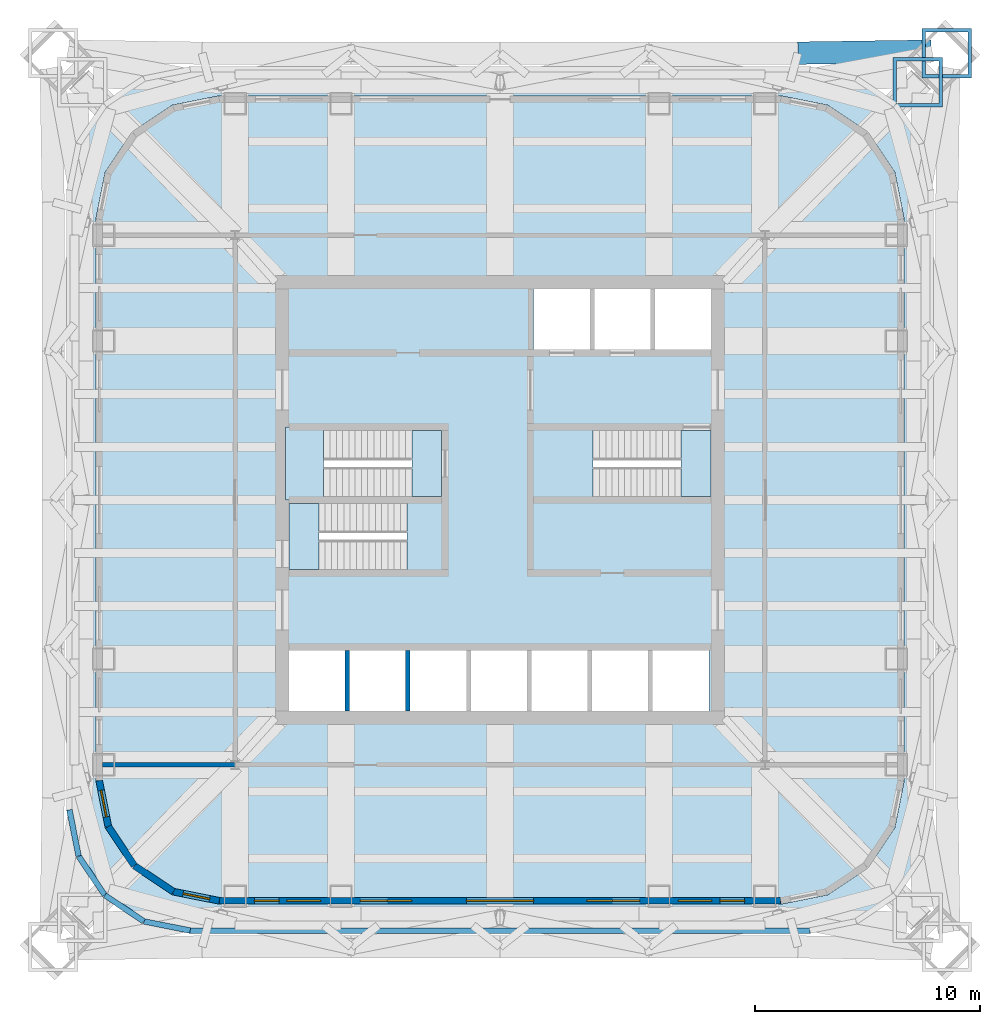
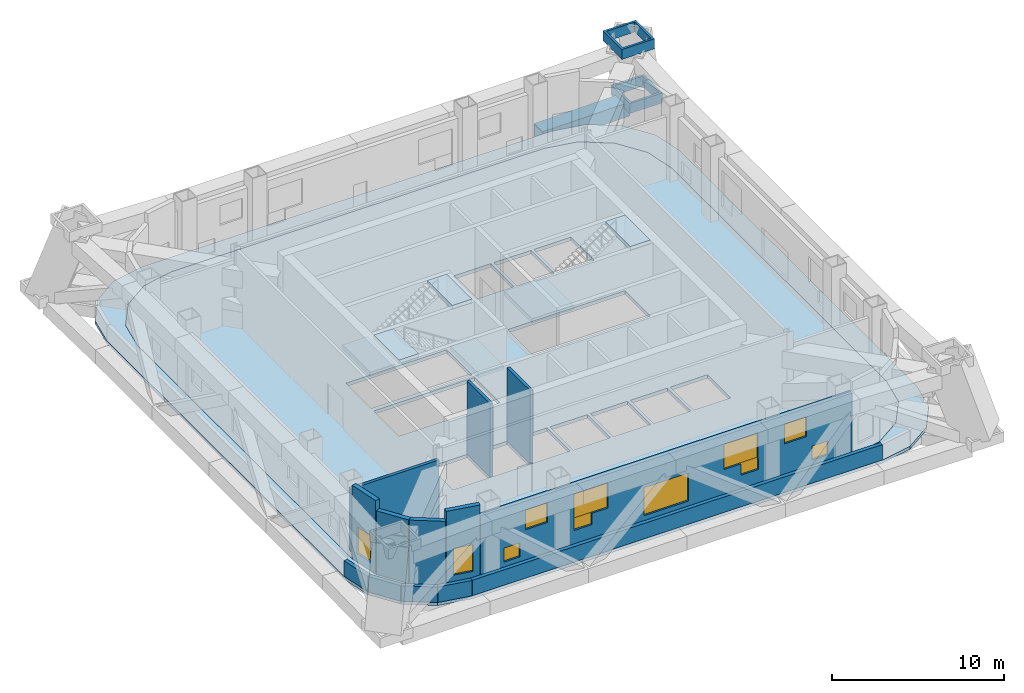
# One storey, part 4 of 9: 13 walls, 11 windows, 8 slabs, 2 members, 1 beam, 11 openings, 3 elements without a shape of their own.
"""IFC4 building model written with IfcOpenShell, lengths in metres."""

from ifc_helpers import new_model, si_unit, direction, frame, frame_2d, origin, origin_2d, place, context, subcontext, project, spatial, polyline, rectangle, hollow_rectangle, outline, extrude, material, layer, layer_set, material_profile, profile_set, type_object, element, fill, aggregate, save


model = new_model("IFC4")

# Units and contexts
model_context = context("Model", 3, precision=1e-05, world=origin(), true_north=direction((0.0, 1.0)))
body_context = subcontext(model_context, "Body", "Model", "MODEL_VIEW")
ifc_project = project(units=[si_unit("LENGTHUNIT", "METRE"), si_unit("AREAUNIT", "SQUARE_METRE"), si_unit("VOLUMEUNIT", "CUBIC_METRE"), si_unit("PLANEANGLEUNIT", "RADIAN"), si_unit("MASSUNIT", "GRAM", prefix="KILO")], contexts=[model_context])

# Site, building, storey
site_placement = place(None, origin())
site = spatial("IfcSite", under=ifc_project, at=site_placement, CompositionType="ELEMENT")
building_placement = place(site_placement, origin())
building = spatial("IfcBuilding", under=site, at=building_placement, Name="Turquesa Mirador Hotel Tower", CompositionType="ELEMENT")
storey_placement = place(building_placement, frame((0.0, 0.0, 221.300048828125)))
storey = spatial("IfcBuildingStorey", under=building, at=storey_placement, Name="L60", CompositionType="ELEMENT", Elevation=221.300048828125)

# Beam
ifc_material_1 = material(Name="Steel ASTM A572 Grade 50", Category="steel")
ifc_material_profile_1 = material_profile(ifc_material_1, hollow_rectangle(XDim=1.0, YDim=1.0, WallThickness=0.06005859375, at=origin_2d()), Name="BOX1000X1000X60")
ifc_profile_set_1 = profile_set([ifc_material_profile_1], Name="Steel ASTM A572 Grade 50")
beam_type = type_object("IfcBeamType", Name="BELT TRUSS CHORD BOX1000X1000X60", PredefinedType="BEAM", material=ifc_profile_set_1)
beam_placement = place(storey_placement, frame((68.2666015625, 64.89990234375, -0.427734375), z_axis=(0.999882659941, 0.015318823339, 0.0), x_axis=(-0.015318823339, 0.999882659941, 0.0)))
element("IfcBeam", 1, at=beam_placement, inside=storey, type_object=beam_type, Name="Belt truss bottom chord N", PredefinedType="BEAM", context=body_context, shape_type="SweptSolid", body=[
    extrude(hollow_rectangle(XDim=1.0, YDim=1.0, WallThickness=0.06005859375, at=origin_2d()), origin(), (0.0, 0.0, 1.0), 5.9287109375),
])

# Members
ifc_material_2 = material(Name="Cast steel ASTM A958 Grade SC8620 Class 80/50", Category="steel")
ifc_material_profile_2 = material_profile(ifc_material_2, hollow_rectangle(XDim=2.199951171875, YDim=2.199951171875, WallThickness=0.14990234375, at=origin_2d()), Name="NODE2200X2200X150")
ifc_profile_set_2 = profile_set([ifc_material_profile_2], Name="Cast steel ASTM A958 Grade SC8620 Class 80/50")
member_type = type_object("IfcMemberType", Name="MEGA COLUMN NODE NODE2200X2200X150", PredefinedType="USERDEFINED", material=ifc_profile_set_2)
for number, where, z_axis, x_axis, name in (
    (2, (74.89990234375, 64.89990234375, -0.201904296875), (0.0, 0.0, 1.0), (1.0, 0.0, 0.0), "Mega column node M1 base"),
    (3, (73.60009765625, 63.60009765625, 4.889892578125), (0.0, 0.0, 1.0), (1.0, 0.0, 0.0), "Mega column node M1 head"),
):
    element("IfcMember", number, at=place(storey_placement, frame(where, z_axis=z_axis, x_axis=x_axis)), inside=storey, type_object=member_type, Name=name, ObjectType="MEGA COLUMN NODE", PredefinedType="USERDEFINED", context=body_context, shape_type="SweptSolid", body=[
        extrude(hollow_rectangle(XDim=2.199951171875, YDim=2.199951171875, WallThickness=0.14990234375, at=origin_2d()), origin(), (0.0, 0.0, 1.0), 0.7119140625),
    ])

# Slabs
ifc_material_3 = material(Name="Concrete C35/45", Category="concrete")
ifc_layer_1 = layer(ifc_material_3, 0.25)
ifc_layer_set_1 = layer_set([ifc_layer_1], Name="PLANT FLOOR SLAB 250")
slab_type_1 = type_object("IfcSlabType", Name="PLANT FLOOR SLAB 250", PredefinedType="FLOOR", material=ifc_layer_set_1)
slab_1_placement = place(storey_placement, frame((0.0, 0.0, -0.25)))
element("IfcSlab", 4, at=slab_1_placement, inside=storey, type_object=slab_type_1, Name="Floor slab L60", PredefinedType="FLOOR", context=body_context, shape_type="SweptSolid", body=[
    extrude(outline(polyline([(67.5, 27.0), (69.604736328125, 27.418701171875), (71.38916015625, 28.61083984375), (72.581298828125, 30.395263671875), (73.0, 32.5), (73.0, 57.5), (72.581298828125, 59.604736328125), (71.38916015625, 61.38916015625), (69.604736328125, 62.581298828125), (67.5, 63.0), (42.5, 63.0), (40.395263671875, 62.581298828125), (38.61083984375, 61.38916015625), (37.418701171875, 59.604736328125), (37.0, 57.5), (37.0, 32.5), (37.418701171875, 30.395263671875), (38.61083984375, 28.61083984375), (40.395263671875, 27.418701171875), (42.5, 27.0), (67.5, 27.0)]), holes=[polyline([(56.5, 51.699951171875), (59.0, 51.699951171875), (59.0, 54.39990234375), (56.5, 54.39990234375), (56.5, 51.699951171875)]), polyline([(59.199951171875, 51.699951171875), (61.699951171875, 51.699951171875), (61.699951171875, 54.39990234375), (59.199951171875, 54.39990234375), (59.199951171875, 51.699951171875)]), polyline([(45.60009765625, 35.60009765625), (48.10009765625, 35.60009765625), (48.10009765625, 38.300048828125), (45.60009765625, 38.300048828125), (45.60009765625, 35.60009765625)]), polyline([(48.300048828125, 35.60009765625), (50.800048828125, 35.60009765625), (50.800048828125, 38.300048828125), (48.300048828125, 38.300048828125), (48.300048828125, 35.60009765625)]), polyline([(51.0, 35.60009765625), (53.5, 35.60009765625), (53.5, 38.300048828125), (51.0, 38.300048828125), (51.0, 35.60009765625)]), polyline([(53.699951171875, 35.60009765625), (56.199951171875, 35.60009765625), (56.199951171875, 38.300048828125), (53.699951171875, 38.300048828125), (53.699951171875, 35.60009765625)]), polyline([(56.39990234375, 35.60009765625), (58.89990234375, 35.60009765625), (58.89990234375, 38.300048828125), (56.39990234375, 38.300048828125), (56.39990234375, 35.60009765625)]), polyline([(59.10009765625, 35.60009765625), (61.60009765625, 35.60009765625), (61.60009765625, 38.300048828125), (59.10009765625, 38.300048828125), (59.10009765625, 35.60009765625)]), polyline([(61.800048828125, 35.60009765625), (64.300048828125, 35.60009765625), (64.300048828125, 38.300048828125), (61.800048828125, 38.300048828125), (61.800048828125, 35.60009765625)]), polyline([(45.60009765625, 45.14990234375), (52.39990234375, 45.14990234375), (52.39990234375, 48.10009765625), (45.60009765625, 48.10009765625), (45.60009765625, 45.14990234375)]), polyline([(45.60009765625, 41.89990234375), (52.39990234375, 41.89990234375), (52.39990234375, 44.85009765625), (45.60009765625, 44.85009765625), (45.60009765625, 41.89990234375)]), polyline([(56.5, 45.14990234375), (64.39990234375, 45.14990234375), (64.39990234375, 48.10009765625), (56.5, 48.10009765625), (56.5, 45.14990234375)]), polyline([(61.89990234375, 51.699951171875), (64.39990234375, 51.699951171875), (64.39990234375, 54.39990234375), (61.89990234375, 54.39990234375), (61.89990234375, 51.699951171875)])]), origin(), (0.0, 0.0, 1.0), 0.25),
])
ifc_material_4 = material(Name="Concrete C35/45", Category="concrete")
ifc_layer_2 = layer(ifc_material_4, 0.219970703125)
ifc_layer_set_2 = layer_set([ifc_layer_2], Name="ROOF SLAB 220")
slab_type_2 = type_object("IfcSlabType", Name="ROOF SLAB 220", PredefinedType="ROOF", material=ifc_layer_set_2)
slab_2_placement = place(storey_placement, frame((0.0, 0.0, -0.219970703125)))
element("IfcSlab", 5, at=slab_2_placement, inside=storey, type_object=slab_type_2, Name="Maintenance roof L60", PredefinedType="ROOF", context=body_context, shape_type="SweptSolid", body=[
    extrude(outline(polyline([(68.800048828125, 25.699951171875), (70.90478515625, 26.11865234375), (72.689208984375, 27.310791015625), (73.88134765625, 29.09521484375), (74.300048828125, 31.199951171875), (74.300048828125, 58.800048828125), (73.88134765625, 60.90478515625), (72.689208984375, 62.689208984375), (70.90478515625, 63.88134765625), (68.800048828125, 64.300048828125), (41.199951171875, 64.300048828125), (39.09521484375, 63.88134765625), (37.310791015625, 62.689208984375), (36.11865234375, 60.90478515625), (35.699951171875, 58.800048828125), (35.699951171875, 31.199951171875), (36.11865234375, 29.09521484375), (37.310791015625, 27.310791015625), (39.09521484375, 26.11865234375), (41.199951171875, 25.699951171875), (68.800048828125, 25.699951171875)]), holes=[polyline([(67.5, 27.0), (69.604736328125, 27.418701171875), (71.38916015625, 28.61083984375), (72.581298828125, 30.395263671875), (73.0, 32.5), (73.0, 57.5), (72.581298828125, 59.604736328125), (71.38916015625, 61.38916015625), (69.604736328125, 62.581298828125), (67.5, 63.0), (42.5, 63.0), (40.395263671875, 62.581298828125), (38.61083984375, 61.38916015625), (37.418701171875, 59.604736328125), (37.0, 57.5), (37.0, 32.5), (37.418701171875, 30.395263671875), (38.61083984375, 28.61083984375), (40.395263671875, 27.418701171875), (42.5, 27.0), (67.5, 27.0)])]), origin(), (0.0, 0.0, 1.0), 0.219970703125),
])

# Stair, slabs
ifc_material_5 = material(Name="Concrete C35/45", Category="concrete")
stair_type = type_object("IfcStairType", Name="ESCAPE STAIR CORE", PredefinedType="HALF_TURN_STAIR", material=ifc_material_5)
stair_1_placement = place(storey_placement, origin())
stair_1 = element("IfcStair", 6, at=stair_1_placement, inside=storey, type_object=stair_type, Name="Stair ST1 L60 to L61", PredefinedType="HALF_TURN_STAIR")
ifc_material_6 = material(Name="Concrete C35/45", Category="concrete")
ifc_layer_3 = layer(ifc_material_6, 0.300048828125)
ifc_layer_set_3 = layer_set([ifc_layer_3], Name="STAIR LANDING 300")
slab_type_3 = type_object("IfcSlabType", Name="STAIR LANDING 300", PredefinedType="LANDING", material=ifc_layer_set_3)
slab_3_placement = place(storey_placement, frame((0.0, 0.0, 2.39990234375)))
slab_3 = element("IfcSlab", 7, at=slab_3_placement, type_object=slab_type_3, Name="ST1 landing 1", PredefinedType="LANDING", context=body_context, shape_type="SweptSolid", body=[
    extrude(outline(polyline([(45.449951171875, 45.0), (47.14990234375, 45.0), (47.14990234375, 48.25), (45.449951171875, 48.25), (45.449951171875, 45.0)])), origin(), (0.0, 0.0, 1.0), 0.300048828125),
])
slab_4_placement = place(storey_placement, frame((0.0, 0.0, 5.099853515625)))
slab_4 = element("IfcSlab", 8, at=slab_4_placement, type_object=slab_type_3, Name="ST1 landing 2", PredefinedType="LANDING", context=body_context, shape_type="SweptSolid", body=[
    extrude(outline(polyline([(51.070068359375, 45.14990234375), (52.39990234375, 45.14990234375), (52.39990234375, 48.10009765625), (51.070068359375, 48.10009765625), (51.070068359375, 45.14990234375)])), origin(), (0.0, 0.0, 1.0), 0.300048828125),
])
aggregate(stair_1, [slab_3, slab_4])

stair_2_placement = place(storey_placement, origin())
stair_2 = element("IfcStair", 9, at=stair_2_placement, inside=storey, type_object=stair_type, Name="Stair ST2 L60 to L61", PredefinedType="HALF_TURN_STAIR")
slab_5_placement = place(storey_placement, frame((0.0, 0.0, 2.39990234375)))
slab_5 = element("IfcSlab", 10, at=slab_5_placement, type_object=slab_type_3, Name="ST2 landing 1", PredefinedType="LANDING", context=body_context, shape_type="SweptSolid", body=[
    extrude(outline(polyline([(52.550048828125, 45.0), (50.85009765625, 45.0), (50.85009765625, 41.75), (52.550048828125, 41.75), (52.550048828125, 45.0)])), origin(), (0.0, 0.0, 1.0), 0.300048828125),
])
slab_6_placement = place(storey_placement, frame((0.0, 0.0, 5.099853515625)))
slab_6 = element("IfcSlab", 11, at=slab_6_placement, type_object=slab_type_3, Name="ST2 landing 2", PredefinedType="LANDING", context=body_context, shape_type="SweptSolid", body=[
    extrude(outline(polyline([(46.929931640625, 44.85009765625), (45.60009765625, 44.85009765625), (45.60009765625, 41.89990234375), (46.929931640625, 41.89990234375), (46.929931640625, 44.85009765625)])), origin(), (0.0, 0.0, 1.0), 0.300048828125),
])
aggregate(stair_2, [slab_5, slab_6])

stair_3_placement = place(storey_placement, origin())
stair_3 = element("IfcStair", 12, at=stair_3_placement, inside=storey, type_object=stair_type, Name="Stair ST3 L60 to L61", PredefinedType="HALF_TURN_STAIR")
slab_7_placement = place(storey_placement, frame((0.0, 0.0, 2.39990234375)))
slab_7 = element("IfcSlab", 13, at=slab_7_placement, type_object=slab_type_3, Name="ST3 landing 1", PredefinedType="LANDING", context=body_context, shape_type="SweptSolid", body=[
    extrude(outline(polyline([(56.35009765625, 45.0), (59.14990234375, 45.0), (59.14990234375, 48.25), (56.35009765625, 48.25), (56.35009765625, 45.0)])), origin(), (0.0, 0.0, 1.0), 0.300048828125),
])
slab_8_placement = place(storey_placement, frame((0.0, 0.0, 5.099853515625)))
slab_8 = element("IfcSlab", 14, at=slab_8_placement, type_object=slab_type_3, Name="ST3 landing 2", PredefinedType="LANDING", context=body_context, shape_type="SweptSolid", body=[
    extrude(outline(polyline([(63.070068359375, 45.14990234375), (64.39990234375, 45.14990234375), (64.39990234375, 48.10009765625), (63.070068359375, 48.10009765625), (63.070068359375, 45.14990234375)])), origin(), (0.0, 0.0, 1.0), 0.300048828125),
])
aggregate(stair_3, [slab_7, slab_8])

# Walls
ifc_material_7 = material(Name="Fire-rated gypsum board on steel studs", Category="steel")
ifc_layer_4 = layer(ifc_material_7, 0.199951171875)
ifc_layer_set_4 = layer_set([ifc_layer_4], Name="FIRE PARTITION 200")
wall_type_1 = type_object("IfcWallType", Name="FIRE PARTITION 200", PredefinedType="PARTITIONING", material=ifc_layer_set_4)
wall_1_placement = place(storey_placement, frame((37.300048828125, 33.199951171875, 0.0), z_axis=(0.0, 0.0, 1.0), x_axis=(1.0, 0.0, 0.0)))
element("IfcWall", 15, at=wall_1_placement, inside=storey, type_object=wall_type_1, Name="Partition L60 002", PredefinedType="PARTITIONING", context=body_context, shape_type="SweptSolid", body=[
    extrude(rectangle(XDim=5.89990234375, YDim=0.199951171875, at=frame_2d((2.949951171875, 0.0))), origin(), (0.0, 0.0, 1.0), 4.47314453125),
])
ifc_material_8 = material(Name="Fire-rated gypsum shaft wall on steel studs", Category="steel")
ifc_layer_5 = layer(ifc_material_8, 0.199951171875)
ifc_layer_set_5 = layer_set([ifc_layer_5], Name="LIFT SHAFT DIVIDER 200")
wall_type_2 = type_object("IfcWallType", Name="LIFT SHAFT DIVIDER 200", PredefinedType="PARTITIONING", material=ifc_layer_set_5)
for number, where, z_axis, x_axis, name in (
    (16, (48.199951171875, 35.60009765625, 0.0), (0.0, 0.0, 1.0), (0.0, 1.0, 0.0), "Lift shaft divider"),
    (17, (50.89990234375, 35.60009765625, 0.0), (0.0, 0.0, 1.0), (0.0, 1.0, 0.0), "Lift shaft divider"),
):
    element("IfcWall", number, at=place(storey_placement, frame(where, z_axis=z_axis, x_axis=x_axis)), inside=storey, type_object=wall_type_2, Name=name, PredefinedType="PARTITIONING", context=body_context, shape_type="SweptSolid", body=[
        extrude(rectangle(XDim=2.699951171875, YDim=0.199951171875, at=frame_2d((1.35009765625, 0.0))), origin(), (0.0, 0.0, 1.0), 5.22998046875),
    ])

# Wall, opening, window
ifc_material_9 = material(Name="Limestone cladding on concrete block", Category="masonry")
ifc_layer_6 = layer(ifc_material_9, 0.300048828125)
ifc_layer_set_6 = layer_set([ifc_layer_6], Name="LOUVRE WALL 300 STONE")
wall_type_3 = type_object("IfcWallType", Name="LOUVRE WALL 300 STONE", PredefinedType="SOLIDWALL", material=ifc_layer_set_6)
wall_2_placement = place(storey_placement, frame((37.14990234375, 32.5, 0.0), z_axis=(0.0, 0.0, 1.0), x_axis=(0.195081421501, -0.980787050784, 0.0)))
wall_2 = element("IfcWall", 18, at=wall_2_placement, inside=storey, type_object=wall_type_3, Name="Facade wall L60 15", PredefinedType="SOLIDWALL", context=body_context, shape_type="SweptSolid", body=[
    extrude(rectangle(XDim=2.08740234375, YDim=0.300048828125, at=frame_2d((1.043701171875, 0.0))), origin(), (0.0, 0.0, 1.0), 5.22998046875),
])
opening_1_placement = place(wall_2_placement, frame((0.443603515625, 0.0, 0.60009765625)))
opening_1 = element("IfcOpeningElement", 19, at=opening_1_placement, cuts=wall_2, Name="Opening LV9", PredefinedType="OPENING", context=body_context, shape_type="SweptSolid", body=[
    extrude(rectangle(XDim=1.199951171875, YDim=1.89990234375, at=frame_2d((0.60009765625, 0.949951171875))), frame((0.0, 0.159912109375, 0.0), z_axis=(0.0, -1.0, 0.0), x_axis=(1.0, 0.0, 0.0)), (0.0, 0.0, 1.0), 0.320068359375),
])
ifc_material_10 = material(Name="Aluminium extrusion", Category="aluminium")
window_type_1 = type_object("IfcWindowType", Name="PLANT LOUVRE 1200X1900", PartitioningType="SINGLE_PANEL", PredefinedType="USERDEFINED", material=ifc_material_10)
window_1_placement = place(opening_1_placement, origin())
window_1 = element("IfcWindow", 20, at=window_1_placement, inside=storey, type_object=window_type_1, Name="Window L60", ObjectType="LOUVRE", OverallHeight=1.89990234375, OverallWidth=1.199951171875, PartitioningType="SINGLE_PANEL", PredefinedType="USERDEFINED", context=body_context, shape_type="SweptSolid", body=[
    extrude(rectangle(XDim=1.199951171875, YDim=1.89990234375, at=frame_2d((0.60009765625, 0.949951171875))), frame((0.0, 0.030029296875, 0.0), z_axis=(0.0, -1.0, 0.0), x_axis=(1.0, 0.0, 0.0)), (0.0, 0.0, 1.0), 0.06005859375),
])
fill(opening_1, window_1)

# Walls
for number, where, z_axis, x_axis, name in (
    (21, (37.55712890625, 30.45263671875, 0.0), (0.0, 0.0, 1.0), (0.555644460423, -0.831420010345, 0.0), "Facade wall L60 16"),
    (22, (38.717041015625, 28.717041015625, 0.0), (0.0, 0.0, 1.0), (0.831420010345, -0.555644460423, 0.0), "Facade wall L60 17"),
):
    element("IfcWall", number, at=place(storey_placement, frame(where, z_axis=z_axis, x_axis=x_axis)), inside=storey, type_object=wall_type_3, Name=name, PredefinedType="SOLIDWALL", context=body_context, shape_type="SweptSolid", body=[
        extrude(rectangle(XDim=2.08740234375, YDim=0.300048828125, at=frame_2d((1.043701171875, 0.0))), origin(), (0.0, 0.0, 1.0), 4.530029296875),
    ])

# Wall, opening, window
wall_3_placement = place(storey_placement, frame((40.45263671875, 27.55712890625, 0.0), z_axis=(0.0, 0.0, 1.0), x_axis=(0.980787050784, -0.195081421501, 0.0)))
wall_3 = element("IfcWall", 23, at=wall_3_placement, inside=storey, type_object=wall_type_3, Name="Facade wall L60 18", PredefinedType="SOLIDWALL", context=body_context, shape_type="SweptSolid", body=[
    extrude(rectangle(XDim=2.08740234375, YDim=0.300048828125, at=frame_2d((1.043701171875, 0.0))), origin(), (0.0, 0.0, 1.0), 5.22998046875),
])
opening_2_placement = place(wall_3_placement, frame((0.443603515625, 0.0, 0.60009765625)))
opening_2 = element("IfcOpeningElement", 24, at=opening_2_placement, cuts=wall_3, Name="Opening LV9", PredefinedType="OPENING", context=body_context, shape_type="SweptSolid", body=[
    extrude(rectangle(XDim=1.199951171875, YDim=1.89990234375, at=frame_2d((0.60009765625, 0.949951171875))), frame((0.0, 0.159912109375, 0.0), z_axis=(0.0, -1.0, 0.0), x_axis=(1.0, 0.0, 0.0)), (0.0, 0.0, 1.0), 0.320068359375),
])
window_2_placement = place(opening_2_placement, origin())
window_2 = element("IfcWindow", 25, at=window_2_placement, inside=storey, type_object=window_type_1, Name="Window L60", ObjectType="LOUVRE", OverallHeight=1.89990234375, OverallWidth=1.199951171875, PartitioningType="SINGLE_PANEL", PredefinedType="USERDEFINED", context=body_context, shape_type="SweptSolid", body=[
    extrude(rectangle(XDim=1.199951171875, YDim=1.89990234375, at=frame_2d((0.60009765625, 0.949951171875))), frame((0.0, 0.030029296875, 0.0), z_axis=(0.0, -1.0, 0.0), x_axis=(1.0, 0.0, 0.0)), (0.0, 0.0, 1.0), 0.06005859375),
])
fill(opening_2, window_2)

# Wall, openings, windows
wall_4_placement = place(storey_placement, frame((42.5, 27.14990234375, 0.0), z_axis=(0.0, 0.0, 1.0), x_axis=(1.0, 0.0, 0.0)))
wall_4 = element("IfcWall", 26, at=wall_4_placement, inside=storey, type_object=wall_type_3, Name="Facade wall L60 19", PredefinedType="SOLIDWALL", context=body_context, shape_type="SweptSolid", body=[
    extrude(rectangle(XDim=25.0, YDim=0.300048828125, at=frame_2d((12.5, 0.0))), origin(), (0.0, 0.0, 1.0), 4.429931640625),
])
opening_3_placement = place(wall_4_placement, frame((3.010009765625, 0.0, 2.39990234375)))
opening_3 = element("IfcOpeningElement", 27, at=opening_3_placement, cuts=wall_4, Name="Opening LV10", PredefinedType="OPENING", context=body_context, shape_type="SweptSolid", body=[
    extrude(rectangle(XDim=1.5, YDim=1.39990234375, at=frame_2d((0.75, 0.699951171875))), frame((0.0, 0.159912109375, 0.0), z_axis=(0.0, -1.0, 0.0), x_axis=(1.0, 0.0, 0.0)), (0.0, 0.0, 1.0), 0.320068359375),
])
opening_4_placement = place(wall_4_placement, frame((6.280029296875, 0.0, 2.0)))
opening_4 = element("IfcOpeningElement", 28, at=opening_4_placement, cuts=wall_4, Name="Opening LV14", PredefinedType="OPENING", context=body_context, shape_type="SweptSolid", body=[
    extrude(rectangle(XDim=2.300048828125, YDim=1.800048828125, at=frame_2d((1.14990234375, 0.89990234375))), frame((0.0, 0.159912109375, 0.0), z_axis=(0.0, -1.0, 0.0), x_axis=(1.0, 0.0, 0.0)), (0.0, 0.0, 1.0), 0.320068359375),
])
opening_5_placement = place(wall_4_placement, frame((11.0, 0.0, 0.60009765625)))
opening_5 = element("IfcOpeningElement", 29, at=opening_5_placement, cuts=wall_4, Name="Opening LV16", PredefinedType="OPENING", context=body_context, shape_type="SweptSolid", body=[
    extrude(rectangle(XDim=3.0, YDim=2.0, at=frame_2d((1.5, 1.0))), frame((0.0, 0.159912109375, 0.0), z_axis=(0.0, -1.0, 0.0), x_axis=(1.0, 0.0, 0.0)), (0.0, 0.0, 1.0), 0.320068359375),
])
opening_6_placement = place(wall_4_placement, frame((16.3701171875, 0.0, 2.0)))
opening_6 = element("IfcOpeningElement", 30, at=opening_6_placement, cuts=wall_4, Name="Opening LV14", PredefinedType="OPENING", context=body_context, shape_type="SweptSolid", body=[
    extrude(rectangle(XDim=2.300048828125, YDim=1.800048828125, at=frame_2d((1.14990234375, 0.89990234375))), frame((0.0, 0.159912109375, 0.0), z_axis=(0.0, -1.0, 0.0), x_axis=(1.0, 0.0, 0.0)), (0.0, 0.0, 1.0), 0.320068359375),
])
opening_7_placement = place(wall_4_placement, frame((20.43994140625, 0.0, 2.39990234375)))
opening_7 = element("IfcOpeningElement", 31, at=opening_7_placement, cuts=wall_4, Name="Opening LV10", PredefinedType="OPENING", context=body_context, shape_type="SweptSolid", body=[
    extrude(rectangle(XDim=1.5, YDim=1.39990234375, at=frame_2d((0.75, 0.699951171875))), frame((0.0, 0.159912109375, 0.0), z_axis=(0.0, -1.0, 0.0), x_axis=(1.0, 0.0, 0.0)), (0.0, 0.0, 1.0), 0.320068359375),
])
opening_8_placement = place(wall_4_placement, frame((1.56005859375, 0.0, 0.60009765625)))
opening_8 = element("IfcOpeningElement", 32, at=opening_8_placement, cuts=wall_4, Name="Opening LV5", PredefinedType="OPENING", context=body_context, shape_type="SweptSolid", body=[
    extrude(rectangle(XDim=1.10009765625, YDim=1.0, at=frame_2d((0.550048828125, 0.5))), frame((0.0, 0.159912109375, 0.0), z_axis=(0.0, -1.0, 0.0), x_axis=(1.0, 0.0, 0.0)), (0.0, 0.0, 1.0), 0.320068359375),
])
opening_9_placement = place(wall_4_placement, frame((6.280029296875, 0.0, 1.199951171875)))
opening_9 = element("IfcOpeningElement", 33, at=opening_9_placement, cuts=wall_4, Name="Opening LV6", PredefinedType="OPENING", context=body_context, shape_type="SweptSolid", body=[
    extrude(rectangle(XDim=1.199951171875, YDim=0.800048828125, at=frame_2d((0.60009765625, 0.39990234375))), frame((0.0, 0.159912109375, 0.0), z_axis=(0.0, -1.0, 0.0), x_axis=(1.0, 0.0, 0.0)), (0.0, 0.0, 1.0), 0.320068359375),
])
opening_10_placement = place(wall_4_placement, frame((17.52001953125, 0.0, 1.199951171875)))
opening_10 = element("IfcOpeningElement", 34, at=opening_10_placement, cuts=wall_4, Name="Opening LV6", PredefinedType="OPENING", context=body_context, shape_type="SweptSolid", body=[
    extrude(rectangle(XDim=1.199951171875, YDim=0.800048828125, at=frame_2d((0.60009765625, 0.39990234375))), frame((0.0, 0.159912109375, 0.0), z_axis=(0.0, -1.0, 0.0), x_axis=(1.0, 0.0, 0.0)), (0.0, 0.0, 1.0), 0.320068359375),
])
opening_11_placement = place(wall_4_placement, frame((22.2900390625, 0.0, 0.60009765625)))
opening_11 = element("IfcOpeningElement", 35, at=opening_11_placement, cuts=wall_4, Name="Opening LV5", PredefinedType="OPENING", context=body_context, shape_type="SweptSolid", body=[
    extrude(rectangle(XDim=1.10009765625, YDim=1.0, at=frame_2d((0.550048828125, 0.5))), frame((0.0, 0.159912109375, 0.0), z_axis=(0.0, -1.0, 0.0), x_axis=(1.0, 0.0, 0.0)), (0.0, 0.0, 1.0), 0.320068359375),
])
ifc_material_11 = material(Name="Aluminium extrusion", Category="aluminium")
window_type_2 = type_object("IfcWindowType", Name="PLANT LOUVRE 1100X1000", PartitioningType="SINGLE_PANEL", PredefinedType="USERDEFINED", material=ifc_material_11)
window_3_placement = place(opening_8_placement, origin())
window_3 = element("IfcWindow", 36, at=window_3_placement, inside=storey, type_object=window_type_2, Name="Window L60", ObjectType="LOUVRE", OverallHeight=1.0, OverallWidth=1.10009765625, PartitioningType="SINGLE_PANEL", PredefinedType="USERDEFINED", context=body_context, shape_type="SweptSolid", body=[
    extrude(rectangle(XDim=1.10009765625, YDim=1.0, at=frame_2d((0.550048828125, 0.5))), frame((0.0, 0.030029296875, 0.0), z_axis=(0.0, -1.0, 0.0), x_axis=(1.0, 0.0, 0.0)), (0.0, 0.0, 1.0), 0.06005859375),
])
fill(opening_8, window_3)
window_4_placement = place(opening_11_placement, origin())
window_4 = element("IfcWindow", 37, at=window_4_placement, inside=storey, type_object=window_type_2, Name="Window L60", ObjectType="LOUVRE", OverallHeight=1.0, OverallWidth=1.10009765625, PartitioningType="SINGLE_PANEL", PredefinedType="USERDEFINED", context=body_context, shape_type="SweptSolid", body=[
    extrude(rectangle(XDim=1.10009765625, YDim=1.0, at=frame_2d((0.550048828125, 0.5))), frame((0.0, 0.030029296875, 0.0), z_axis=(0.0, -1.0, 0.0), x_axis=(1.0, 0.0, 0.0)), (0.0, 0.0, 1.0), 0.06005859375),
])
fill(opening_11, window_4)
ifc_material_12 = material(Name="Aluminium extrusion", Category="aluminium")
window_type_3 = type_object("IfcWindowType", Name="PLANT LOUVRE 1200X800", PartitioningType="SINGLE_PANEL", PredefinedType="USERDEFINED", material=ifc_material_12)
window_5_placement = place(opening_9_placement, origin())
window_5 = element("IfcWindow", 38, at=window_5_placement, inside=storey, type_object=window_type_3, Name="Window L60", ObjectType="LOUVRE", OverallHeight=0.800048828125, OverallWidth=1.199951171875, PartitioningType="SINGLE_PANEL", PredefinedType="USERDEFINED", context=body_context, shape_type="SweptSolid", body=[
    extrude(rectangle(XDim=1.199951171875, YDim=0.800048828125, at=frame_2d((0.60009765625, 0.39990234375))), frame((0.0, 0.030029296875, 0.0), z_axis=(0.0, -1.0, 0.0), x_axis=(1.0, 0.0, 0.0)), (0.0, 0.0, 1.0), 0.06005859375),
])
fill(opening_9, window_5)
window_6_placement = place(opening_10_placement, origin())
window_6 = element("IfcWindow", 39, at=window_6_placement, inside=storey, type_object=window_type_3, Name="Window L60", ObjectType="LOUVRE", OverallHeight=0.800048828125, OverallWidth=1.199951171875, PartitioningType="SINGLE_PANEL", PredefinedType="USERDEFINED", context=body_context, shape_type="SweptSolid", body=[
    extrude(rectangle(XDim=1.199951171875, YDim=0.800048828125, at=frame_2d((0.60009765625, 0.39990234375))), frame((0.0, 0.030029296875, 0.0), z_axis=(0.0, -1.0, 0.0), x_axis=(1.0, 0.0, 0.0)), (0.0, 0.0, 1.0), 0.06005859375),
])
fill(opening_10, window_6)
ifc_material_13 = material(Name="Aluminium extrusion", Category="aluminium")
window_type_4 = type_object("IfcWindowType", Name="PLANT LOUVRE 1500X1400", PartitioningType="SINGLE_PANEL", PredefinedType="USERDEFINED", material=ifc_material_13)
window_7_placement = place(opening_3_placement, origin())
window_7 = element("IfcWindow", 40, at=window_7_placement, inside=storey, type_object=window_type_4, Name="Window L60", ObjectType="LOUVRE", OverallHeight=1.39990234375, OverallWidth=1.5, PartitioningType="SINGLE_PANEL", PredefinedType="USERDEFINED", context=body_context, shape_type="SweptSolid", body=[
    extrude(rectangle(XDim=1.5, YDim=1.39990234375, at=frame_2d((0.75, 0.699951171875))), frame((0.0, 0.030029296875, 0.0), z_axis=(0.0, -1.0, 0.0), x_axis=(1.0, 0.0, 0.0)), (0.0, 0.0, 1.0), 0.06005859375),
])
fill(opening_3, window_7)
window_8_placement = place(opening_7_placement, origin())
window_8 = element("IfcWindow", 41, at=window_8_placement, inside=storey, type_object=window_type_4, Name="Window L60", ObjectType="LOUVRE", OverallHeight=1.39990234375, OverallWidth=1.5, PartitioningType="SINGLE_PANEL", PredefinedType="USERDEFINED", context=body_context, shape_type="SweptSolid", body=[
    extrude(rectangle(XDim=1.5, YDim=1.39990234375, at=frame_2d((0.75, 0.699951171875))), frame((0.0, 0.030029296875, 0.0), z_axis=(0.0, -1.0, 0.0), x_axis=(1.0, 0.0, 0.0)), (0.0, 0.0, 1.0), 0.06005859375),
])
fill(opening_7, window_8)
ifc_material_14 = material(Name="Aluminium extrusion", Category="aluminium")
window_type_5 = type_object("IfcWindowType", Name="PLANT LOUVRE 2300X1800", PartitioningType="SINGLE_PANEL", PredefinedType="USERDEFINED", material=ifc_material_14)
window_9_placement = place(opening_4_placement, origin())
window_9 = element("IfcWindow", 42, at=window_9_placement, inside=storey, type_object=window_type_5, Name="Window L60", ObjectType="LOUVRE", OverallHeight=1.800048828125, OverallWidth=2.300048828125, PartitioningType="SINGLE_PANEL", PredefinedType="USERDEFINED", context=body_context, shape_type="SweptSolid", body=[
    extrude(rectangle(XDim=2.300048828125, YDim=1.800048828125, at=frame_2d((1.14990234375, 0.89990234375))), frame((0.0, 0.030029296875, 0.0), z_axis=(0.0, -1.0, 0.0), x_axis=(1.0, 0.0, 0.0)), (0.0, 0.0, 1.0), 0.06005859375),
])
fill(opening_4, window_9)
window_10_placement = place(opening_6_placement, origin())
window_10 = element("IfcWindow", 43, at=window_10_placement, inside=storey, type_object=window_type_5, Name="Window L60", ObjectType="LOUVRE", OverallHeight=1.800048828125, OverallWidth=2.300048828125, PartitioningType="SINGLE_PANEL", PredefinedType="USERDEFINED", context=body_context, shape_type="SweptSolid", body=[
    extrude(rectangle(XDim=2.300048828125, YDim=1.800048828125, at=frame_2d((1.14990234375, 0.89990234375))), frame((0.0, 0.030029296875, 0.0), z_axis=(0.0, -1.0, 0.0), x_axis=(1.0, 0.0, 0.0)), (0.0, 0.0, 1.0), 0.06005859375),
])
fill(opening_6, window_10)
ifc_material_15 = material(Name="Aluminium extrusion", Category="aluminium")
window_type_6 = type_object("IfcWindowType", Name="PLANT LOUVRE 3000X2000", PartitioningType="SINGLE_PANEL", PredefinedType="USERDEFINED", material=ifc_material_15)
window_11_placement = place(opening_5_placement, origin())
window_11 = element("IfcWindow", 44, at=window_11_placement, inside=storey, type_object=window_type_6, Name="Window L60", ObjectType="LOUVRE", OverallHeight=2.0, OverallWidth=3.0, PartitioningType="SINGLE_PANEL", PredefinedType="USERDEFINED", context=body_context, shape_type="SweptSolid", body=[
    extrude(rectangle(XDim=3.0, YDim=2.0, at=frame_2d((1.5, 1.0))), frame((0.0, 0.030029296875, 0.0), z_axis=(0.0, -1.0, 0.0), x_axis=(1.0, 0.0, 0.0)), (0.0, 0.0, 1.0), 0.06005859375),
])
fill(opening_5, window_11)

# Walls
ifc_material_16 = material(Name="Limestone cladding on concrete block", Category="masonry")
ifc_layer_7 = layer(ifc_material_16, 0.25)
ifc_layer_set_7 = layer_set([ifc_layer_7], Name="PARAPET 250 STONE")
wall_type_4 = type_object("IfcWallType", Name="PARAPET 250 STONE", PredefinedType="PARAPET", material=ifc_layer_set_7)
for number, where, z_axis, x_axis, name in (
    (45, (35.824951171875, 31.199951171875, 0.0), (0.0, 0.0, 1.0), (0.195108609271, -0.980781642665, 0.0), "Maintenance roof parapet L60"),
    (46, (36.234130859375, 29.14306640625, 0.0), (0.0, 0.0, 1.0), (0.555640102334, -0.831422922873, 0.0), "Maintenance roof parapet L60"),
    (47, (37.3994140625, 27.3994140625, 0.0), (0.0, 0.0, 1.0), (0.831422922873, -0.555640102334, 0.0), "Maintenance roof parapet L60"),
    (48, (39.14306640625, 26.234130859375, 0.0), (0.0, 0.0, 1.0), (0.980781642665, -0.195108609271, 0.0), "Maintenance roof parapet L60"),
):
    element("IfcWall", number, at=place(storey_placement, frame(where, z_axis=z_axis, x_axis=x_axis)), inside=storey, type_object=wall_type_4, Name=name, PredefinedType="PARAPET", context=body_context, shape_type="SweptSolid", body=[
        extrude(rectangle(XDim=2.09716796875, YDim=0.25, at=frame_2d((1.048583984375, 0.0))), origin(), (0.0, 0.0, 1.0), 1.099853515625),
    ])
wall_5_placement = place(storey_placement, frame((41.199951171875, 25.824951171875, 0.0), z_axis=(0.0, 0.0, 1.0), x_axis=(1.0, 0.0, 0.0)))
element("IfcWall", 49, at=wall_5_placement, inside=storey, type_object=wall_type_4, Name="Maintenance roof parapet L60", PredefinedType="PARAPET", context=body_context, shape_type="SweptSolid", body=[
    extrude(rectangle(XDim=27.60009765625, YDim=0.25, at=frame_2d((13.800048828125, 0.0))), origin(), (0.0, 0.0, 1.0), 1.099853515625),
])

save(model, "model.ifc")
